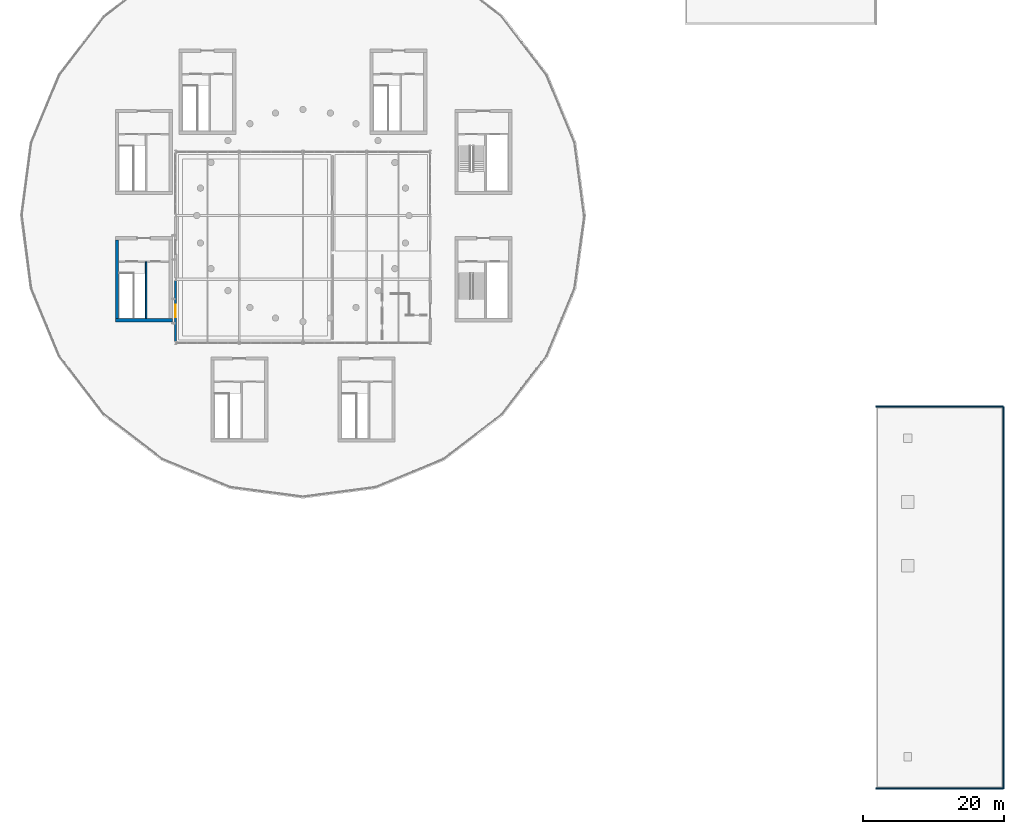
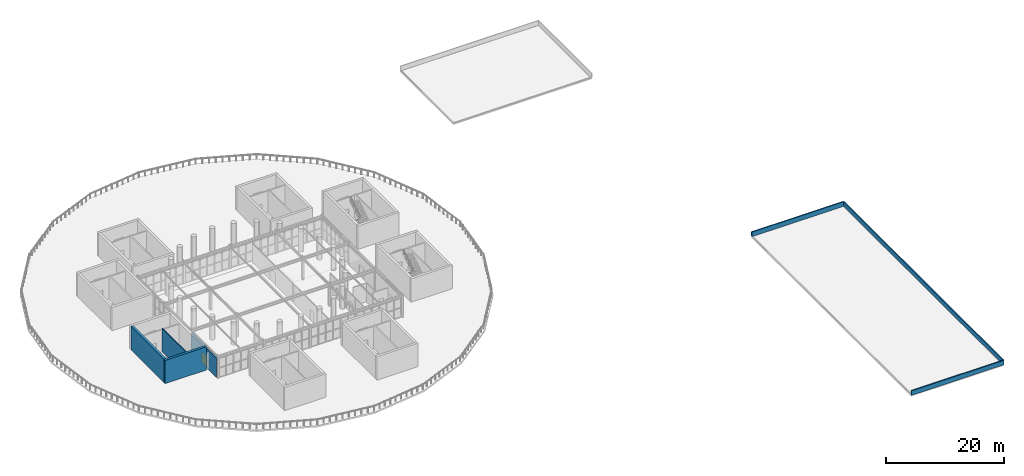
# One storey, part 21 of 29: 7 walls, 1 door, 1 opening.
"""IFC4 building model written with IfcOpenShell, lengths in metres."""

from ifc_helpers import new_model, si_unit, direction, frame, frame_2d, origin, place, context, subcontext, project, spatial, rectangle, extrude, material, layer, layer_set, type_object, element, fill, save


model = new_model("IFC4")

# Units and contexts
model_context = context("Model", 3, precision=1e-05, world=origin(), true_north=direction((0.0, 1.0)))
body_context = subcontext(model_context, "Body", "Model", "MODEL_VIEW")
ifc_project = project(units=[si_unit("LENGTHUNIT", "METRE"), si_unit("AREAUNIT", "SQUARE_METRE"), si_unit("VOLUMEUNIT", "CUBIC_METRE"), si_unit("PLANEANGLEUNIT", "RADIAN"), si_unit("MASSUNIT", "GRAM", prefix="KILO")], contexts=[model_context])

# Site, building, storey
site_placement = place(None, origin())
site = spatial("IfcSite", under=ifc_project, at=site_placement, CompositionType="ELEMENT")
building_placement = place(site_placement, origin())
building = spatial("IfcBuilding", under=site, at=building_placement, Name="Dornveld Trade and Exhibition Forum", CompositionType="ELEMENT")
storey_placement = place(building_placement, frame((0.0, 0.0, 21.60009765625)))
storey = spatial("IfcBuildingStorey", under=building, at=storey_placement, Name="L04", CompositionType="ELEMENT", Elevation=21.60009765625)

# Walls
ifc_material_1 = material(Name="Concrete C40/50", Category="concrete")
ifc_layer_1 = layer(ifc_material_1, 0.449951171875)
ifc_layer_set_1 = layer_set([ifc_layer_1], Name="Concrete C40/50")
wall_type_1 = type_object("IfcWallType", Name="WL-CORE-450", PredefinedType="SHEAR", material=ifc_layer_set_1)
wall_1_placement = place(storey_placement, frame((90.47509765625, 66.199951171875, 0.0), z_axis=(0.0, 0.0, 1.0), x_axis=(1.0, 0.0, 0.0)))
element("IfcWall", 1, at=wall_1_placement, inside=storey, type_object=wall_type_1, Name="CORE-05 L04 shear wall S", PredefinedType="SHEAR", context=body_context, shape_type="SweptSolid", body=[
    extrude(rectangle(XDim=8.0498046875, YDim=0.449951171875, at=frame_2d((4.02490234375, 0.0))), origin(), (0.0, 0.0, 1.0), 4.7998046875),
])
wall_2_placement = place(storey_placement, frame((90.699951171875, 66.425048828125, 0.0), z_axis=(0.0, 0.0, 1.0), x_axis=(0.0, 1.0, 0.0)))
element("IfcWall", 2, at=wall_2_placement, inside=storey, type_object=wall_type_1, Name="CORE-05 L04 shear wall W", PredefinedType="SHEAR", context=body_context, shape_type="SweptSolid", body=[
    extrude(rectangle(XDim=11.14990234375, YDim=0.449951171875, at=frame_2d((5.574951171875, 0.0))), origin(), (0.0, 0.0, 1.0), 4.7998046875),
])

# Wall, opening, door
ifc_material_2 = material(Name="Precast concrete C50/60", Category="concrete")
ifc_layer_2 = layer(ifc_material_2, 0.260009765625)
ifc_layer_set_2 = layer_set([ifc_layer_2], Name="Precast concrete C50/60")
wall_type_2 = type_object("IfcWallType", Name="WL-EXT-PC260", PredefinedType="SOLIDWALL", material=ifc_layer_set_2)
wall_3_placement = place(storey_placement, frame((99.0, 71.800537109375, 0.0), z_axis=(0.0, 0.0, 1.0), x_axis=(0.0, -1.0, 0.0)))
wall_3 = element("IfcWall", 3, at=wall_3_placement, inside=storey, type_object=wall_type_2, Name="L04 precast facade wall 12", PredefinedType="SOLIDWALL", context=body_context, shape_type="SweptSolid", body=[
    extrude(rectangle(XDim=8.60107421875, YDim=0.260009765625, at=frame_2d((4.300537109375, 0.0))), origin(), (0.0, 0.0, 1.0), 4.02001953125),
])
opening_placement = place(wall_3_placement, frame((3.400390625, 0.0, 0.0)))
opening = element("IfcOpeningElement", 4, at=opening_placement, cuts=wall_3, Name="Opening TD-08", PredefinedType="OPENING", context=body_context, shape_type="SweptSolid", body=[
    extrude(rectangle(XDim=1.800048828125, YDim=2.199951171875, at=frame_2d((0.89990234375, 1.10009765625))), frame((0.0, 0.139892578125, 0.0), z_axis=(0.0, -1.0, 0.0), x_axis=(1.0, 0.0, 0.0)), (0.0, 0.0, 1.0), 0.280029296875),
])
ifc_material_3 = material(Name="Dark-bronze anodised aluminium and laminated safety glass", Category="aluminium")
door_type = type_object("IfcDoorType", Name="DR-TER-180x220", OperationType="NOTDEFINED", PredefinedType="DOOR", material=ifc_material_3)
door_placement = place(opening_placement, frame((1.800048828125, 0.0, 0.0), z_axis=(0.0, 0.0, 1.0), x_axis=(-1.0, 0.0, 0.0)))
door = element("IfcDoor", 5, at=door_placement, inside=storey, type_object=door_type, Name="L04 terrace access door 8", OperationType="SINGLE_SWING_RIGHT", OverallHeight=2.199951171875, OverallWidth=1.800048828125, PredefinedType="DOOR", context=body_context, shape_type="SweptSolid", body=[
    extrude(rectangle(XDim=1.800048828125, YDim=2.199951171875, at=frame_2d((0.89990234375, 1.10009765625))), frame((0.0, 0.02490234375, 0.0), z_axis=(0.0, -1.0, 0.0), x_axis=(1.0, 0.0, 0.0)), (0.0, 0.0, 1.0), 0.050048828125),
])
fill(opening, door)

# Walls
ifc_material_4 = material(Name="Concrete C40/50", Category="concrete")
ifc_layer_3 = layer(ifc_material_4, 0.199951171875)
ifc_layer_set_3 = layer_set([ifc_layer_3], Name="Concrete C40/50")
wall_type_3 = type_object("IfcWallType", Name="WL-INT-SHAFT200", PredefinedType="SOLIDWALL", material=ifc_layer_set_3)
wall_4_placement = place(storey_placement, frame((94.820068359375, 66.449951171875, 0.0), z_axis=(0.0, 0.0, 1.0), x_axis=(0.0, 1.0, 0.0)))
element("IfcWall", 6, at=wall_4_placement, inside=storey, type_object=wall_type_3, Name="CORE-05 L04 lift-stair structural shaft wall", PredefinedType="SOLIDWALL", context=body_context, shape_type="SweptSolid", body=[
    extrude(rectangle(XDim=8.0, YDim=0.199951171875, at=frame_2d((4.0, 0.0))), origin(), (0.0, 0.0, 1.0), 4.7998046875),
])
ifc_material_5 = material(Name="Precast concrete C50/60", Category="concrete")
ifc_layer_4 = layer(ifc_material_5, 0.2099609375)
ifc_layer_set_4 = layer_set([ifc_layer_4], Name="Precast concrete C50/60")
wall_type_4 = type_object("IfcWallType", Name="WL-PAR-210", PredefinedType="PARAPET", material=ifc_layer_set_4)
wall_5_placement = place(storey_placement, frame((198.0, 0.0, 0.0), z_axis=(0.0, 0.0, 1.0), x_axis=(1.0, 0.0, 0.0)))
element("IfcWall", 7, at=wall_5_placement, inside=storey, type_object=wall_type_4, Name="L04 roof parapet 3", PredefinedType="PARAPET", context=body_context, shape_type="SweptSolid", body=[
    extrude(rectangle(XDim=18.0, YDim=0.2099609375, at=frame_2d((9.0, 0.0))), origin(), (0.0, 0.0, 1.0), 0.949951171875),
])
wall_6_placement = place(storey_placement, frame((216.0, 0.0, 0.0), z_axis=(0.0, 0.0, 1.0), x_axis=(0.0, 1.0, 0.0)))
element("IfcWall", 8, at=wall_6_placement, inside=storey, type_object=wall_type_4, Name="L04 roof parapet 4", PredefinedType="PARAPET", context=body_context, shape_type="SweptSolid", body=[
    extrude(rectangle(XDim=54.0, YDim=0.2099609375, at=frame_2d((27.0, 0.0))), origin(), (0.0, 0.0, 1.0), 0.949951171875),
])
wall_7_placement = place(storey_placement, frame((216.0, 54.0, 0.0), z_axis=(0.0, 0.0, 1.0), x_axis=(-1.0, 0.0, 0.0)))
element("IfcWall", 9, at=wall_7_placement, inside=storey, type_object=wall_type_4, Name="L04 roof parapet 5", PredefinedType="PARAPET", context=body_context, shape_type="SweptSolid", body=[
    extrude(rectangle(XDim=18.0, YDim=0.2099609375, at=frame_2d((9.0, 0.0))), origin(), (0.0, 0.0, 1.0), 0.949951171875),
])

save(model, "model.ifc")
